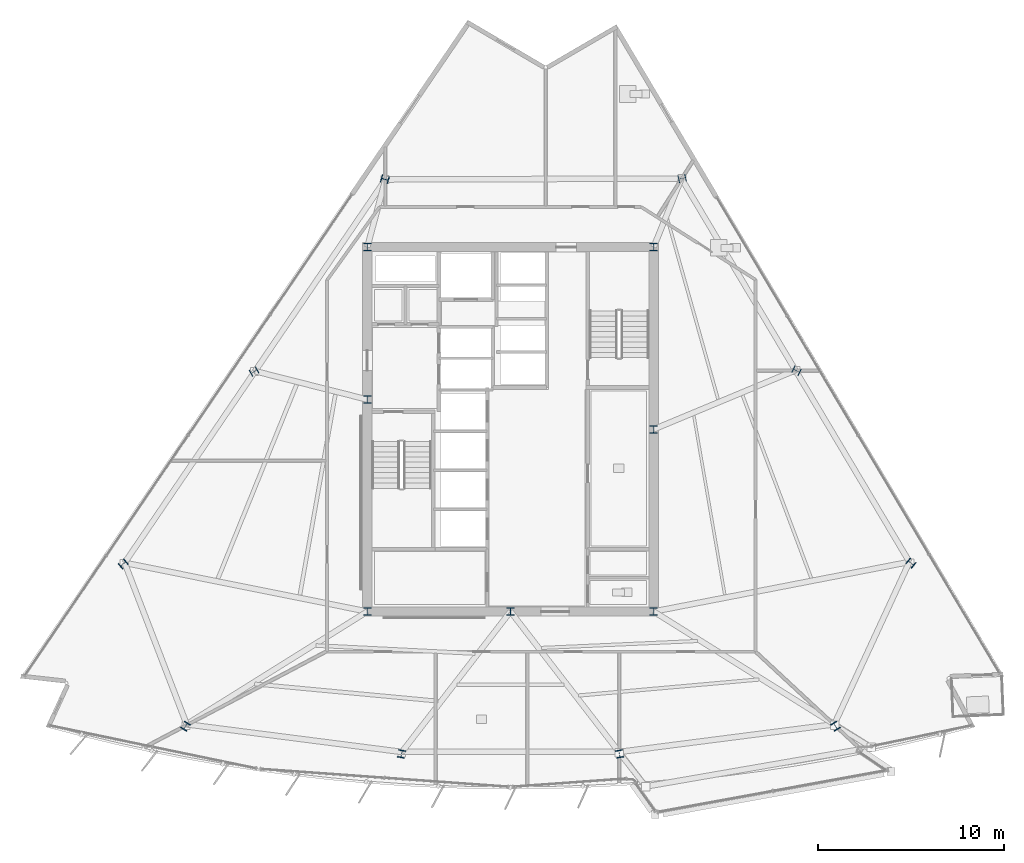
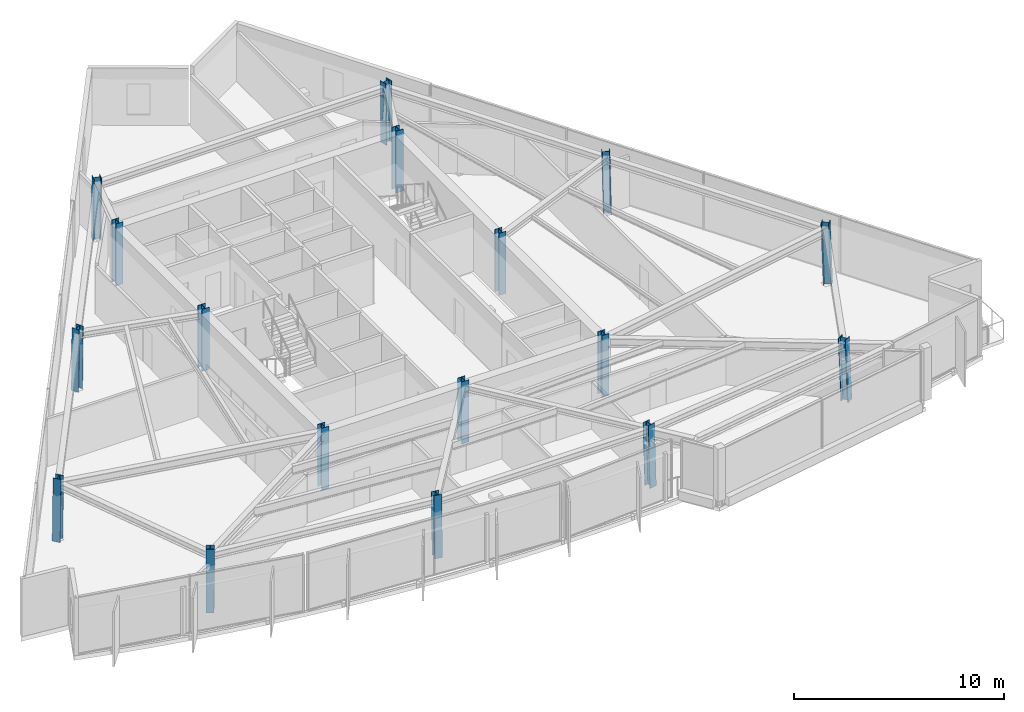
# One storey, part 1 of 12: 17 columns.
"""IFC4 building model written with IfcOpenShell, lengths in metres."""

from ifc_helpers import new_model, si_unit, direction, frame, origin, origin_2d, place, context, subcontext, project, spatial, i_section, extrude, material, material_profile, profile_set, type_object, element, save


model = new_model("IFC4")

# Units and contexts
model_context = context("Model", 3, precision=1e-05, world=origin(), true_north=direction((0.0, 1.0)))
body_context = subcontext(model_context, "Body", "Model", "MODEL_VIEW")
ifc_project = project(units=[si_unit("LENGTHUNIT", "METRE"), si_unit("AREAUNIT", "SQUARE_METRE"), si_unit("VOLUMEUNIT", "CUBIC_METRE"), si_unit("PLANEANGLEUNIT", "RADIAN"), si_unit("MASSUNIT", "GRAM", prefix="KILO")], contexts=[model_context])

# Site, building, storey
site_placement = place(None, origin())
site = spatial("IfcSite", under=ifc_project, at=site_placement, CompositionType="ELEMENT")
building_placement = place(site_placement, origin())
building = spatial("IfcBuilding", under=site, at=building_placement, Name="Savorim Split Tower", CompositionType="ELEMENT")
storey_placement = place(building_placement, frame((0.0, 0.0, 171.0)))
storey = spatial("IfcBuildingStorey", under=building, at=storey_placement, Name="L45", CompositionType="ELEMENT", Elevation=171.0)

# Columns
ifc_material = material(Name="Steel S460", Category="steel")
ifc_material_profile_1 = material_profile(ifc_material, i_section(OverallWidth=0.40087890625, OverallDepth=0.39892578125, WebThickness=0.015625, FlangeThickness=0.02490234375, FilletRadius=0.014892578125, at=origin_2d()), Name="HD 400x314")
ifc_profile_set_1 = profile_set([ifc_material_profile_1], Name="Steel S460")
column_type_1 = type_object("IfcColumnType", Name="COL-HD-314", PredefinedType="COLUMN", material=ifc_profile_set_1)
column_1_placement = place(storey_placement, frame((-17.488525390625, -15.585693359375, 0.005615234375), z_axis=(0.020596292833, 0.033511459955, 0.999226087917), x_axis=(-0.851954850327, 0.523615252838, 0.0)))
element("IfcColumn", 1, at=column_1_placement, inside=storey, type_object=column_type_1, Name="L45 Tapered Perimeter Column PC-S1", PredefinedType="COLUMN", context=body_context, shape_type="SweptSolid", body=[
    extrude(i_section(OverallWidth=0.40087890625, OverallDepth=0.39892578125, WebThickness=0.015625, FlangeThickness=0.02490234375, FilletRadius=0.014892578125, at=origin_2d()), origin(), (0.0, 0.0, 1.0), 3.591552734375),
])
for number, where, z_axis, x_axis, name in (
    (2, (-5.861328125, -17.07861328125, 0.005615234375), (0.006934288159, 0.035283289748, 0.999353293441), (-0.981229659911, 0.192842823335, 0.0), "L45 Tapered Perimeter Column PC-S2"),
    (3, (5.861328125, -17.07861328125, 0.005615234375), (-0.006934288159, 0.035283289748, 0.999353293441), (-0.981229659911, -0.192842823335, 0.0), "L45 Tapered Perimeter Column PC-S3"),
):
    element("IfcColumn", number, at=place(storey_placement, frame(where, z_axis=z_axis, x_axis=x_axis)), inside=storey, type_object=column_type_1, Name=name, PredefinedType="COLUMN", context=body_context, shape_type="SweptSolid", body=[
        extrude(i_section(OverallWidth=0.40087890625, OverallDepth=0.39892578125, WebThickness=0.015625, FlangeThickness=0.02490234375, FilletRadius=0.014892578125, at=origin_2d()), origin(), (0.0, 0.0, 1.0), 3.59130859375),
    ])
column_2_placement = place(storey_placement, frame((17.488525390625, -15.585693359375, 0.005615234375), z_axis=(-0.020596292833, 0.033511459955, 0.999226087917), x_axis=(-0.851954850327, -0.523615252838, 0.0)))
element("IfcColumn", 4, at=column_2_placement, inside=storey, type_object=column_type_1, Name="L45 Tapered Perimeter Column PC-S4", PredefinedType="COLUMN", context=body_context, shape_type="SweptSolid", body=[
    extrude(i_section(OverallWidth=0.40087890625, OverallDepth=0.39892578125, WebThickness=0.015625, FlangeThickness=0.02490234375, FilletRadius=0.014892578125, at=origin_2d()), origin(), (0.0, 0.0, 1.0), 3.591552734375),
])
column_3_placement = place(storey_placement, frame((21.54833984375, -6.809814453125, 0.005615234375), z_axis=(-0.026107475214, 0.021552264695, 0.999426785525), x_axis=(-0.636621915226, -0.771176073964, 0.0)))
element("IfcColumn", 5, at=column_3_placement, inside=storey, type_object=column_type_1, Name="L45 Tapered Perimeter Column PC-E1", PredefinedType="COLUMN", context=body_context, shape_type="SweptSolid", body=[
    extrude(i_section(OverallWidth=0.40087890625, OverallDepth=0.39892578125, WebThickness=0.015625, FlangeThickness=0.02490234375, FilletRadius=0.014892578125, at=origin_2d()), origin(), (0.0, 0.0, 1.0), 3.5908203125),
])
column_4_placement = place(storey_placement, frame((15.39306640625, 3.541748046875, 0.005615234375), z_axis=(-0.018907326549, 0.00952167524, 0.999775900241), x_axis=(-0.449781931574, -0.893138406984, 0.0)))
element("IfcColumn", 6, at=column_4_placement, inside=storey, type_object=column_type_1, Name="L45 Tapered Perimeter Column PC-E2", PredefinedType="COLUMN", context=body_context, shape_type="SweptSolid", body=[
    extrude(i_section(OverallWidth=0.40087890625, OverallDepth=0.39892578125, WebThickness=0.015625, FlangeThickness=0.02490234375, FilletRadius=0.014892578125, at=origin_2d()), origin(), (0.0, 0.0, 1.0), 3.589599609375),
])
for number, where, z_axis, x_axis, name in (
    (7, (9.23779296875, 13.893310546875, 0.005615234375), (-0.011699842352, -0.002516826552, 0.999928387072), (0.210305364179, -0.977635746993, 0.0), "L45 Tapered Perimeter Column PC-E3"),
    (8, (-6.756591796875, 13.844482421875, 0.005615234375), (0.00877514453, -0.002516901919, 0.999958330153), (0.275705143097, 0.961242255662, 0.0), "L45 Tapered Perimeter Column PC-W1"),
):
    element("IfcColumn", number, at=place(storey_placement, frame(where, z_axis=z_axis, x_axis=x_axis)), inside=storey, type_object=column_type_1, Name=name, PredefinedType="COLUMN", context=body_context, shape_type="SweptSolid", body=[
        extrude(i_section(OverallWidth=0.40087890625, OverallDepth=0.39892578125, WebThickness=0.015625, FlangeThickness=0.02490234375, FilletRadius=0.014892578125, at=origin_2d()), origin(), (0.0, 0.0, 1.0), 3.589111328125),
    ])
column_5_placement = place(storey_placement, frame((-13.798583984375, 3.492919921875, 0.005615234375), z_axis=(0.017003572908, 0.009522000828, 0.999810086971), x_axis=(-0.488603368932, 0.87250601595, 0.0)))
element("IfcColumn", 9, at=column_5_placement, inside=storey, type_object=column_type_1, Name="L45 Tapered Perimeter Column PC-W2", PredefinedType="COLUMN", context=body_context, shape_type="SweptSolid", body=[
    extrude(i_section(OverallWidth=0.40087890625, OverallDepth=0.39892578125, WebThickness=0.015625, FlangeThickness=0.02490234375, FilletRadius=0.014892578125, at=origin_2d()), origin(), (0.0, 0.0, 1.0), 3.589599609375),
])
column_6_placement = place(storey_placement, frame((-20.840576171875, -6.858642578125, 0.005615234375), z_axis=(0.025224163578, 0.021620711639, 0.999447990843), x_axis=(-0.650791373456, 0.759256602365, 0.0)))
element("IfcColumn", 10, at=column_6_placement, inside=storey, type_object=column_type_1, Name="L45 Tapered Perimeter Column PC-W3", PredefinedType="COLUMN", context=body_context, shape_type="SweptSolid", body=[
    extrude(i_section(OverallWidth=0.40087890625, OverallDepth=0.39892578125, WebThickness=0.015625, FlangeThickness=0.02490234375, FilletRadius=0.014892578125, at=origin_2d()), origin(), (0.0, 0.0, 1.0), 3.5908203125),
])
ifc_material_profile_2 = material_profile(ifc_material, i_section(OverallWidth=0.404052734375, OverallDepth=0.406982421875, WebThickness=0.017333984375, FlangeThickness=0.028076171875, FilletRadius=0.014892578125, at=origin_2d()), Name="HD 400x347")
ifc_profile_set_2 = profile_set([ifc_material_profile_2], Name="Steel S460")
column_type_2 = type_object("IfcColumnType", Name="COL-HD-347", PredefinedType="COLUMN", material=ifc_profile_set_2)
for number, where, z_axis, x_axis, name in (
    (11, (-7.699951171875, -9.39990234375, 0.0), (0.0, 0.0, 1.0), (1.0, 0.0, 0.0), "L45 Core Structural Column TC-C1"),
    (12, (7.699951171875, -9.39990234375, 0.0), (0.0, 0.0, 1.0), (1.0, 0.0, 0.0), "L45 Core Structural Column TC-C2"),
    (13, (7.699951171875, 10.199951171875, 0.0), (0.0, 0.0, 1.0), (1.0, 0.0, 0.0), "L45 Core Structural Column TC-C3"),
    (14, (-7.699951171875, 10.199951171875, 0.0), (0.0, 0.0, 1.0), (1.0, 0.0, 0.0), "L45 Core Structural Column TC-C4"),
    (15, (0.0, -9.39990234375, 0.0), (0.0, 0.0, 1.0), (1.0, 0.0, 0.0), "L45 Core Structural Column TC-C5"),
    (16, (7.699951171875, 0.39990234375, 0.0), (0.0, 0.0, 1.0), (1.0, 0.0, 0.0), "L45 Core Structural Column TC-C6"),
    (17, (-7.699951171875, 2.0, 0.0), (0.0, 0.0, 1.0), (1.0, 0.0, 0.0), "L45 Core Structural Column TC-C7"),
):
    element("IfcColumn", number, at=place(storey_placement, frame(where, z_axis=z_axis, x_axis=x_axis)), inside=storey, type_object=column_type_2, Name=name, PredefinedType="COLUMN", context=body_context, shape_type="SweptSolid", body=[
        extrude(i_section(OverallWidth=0.404052734375, OverallDepth=0.406982421875, WebThickness=0.017333984375, FlangeThickness=0.028076171875, FilletRadius=0.014892578125, at=origin_2d()), origin(), (0.0, 0.0, 1.0), 3.60009765625),
    ])

save(model, "model.ifc")
